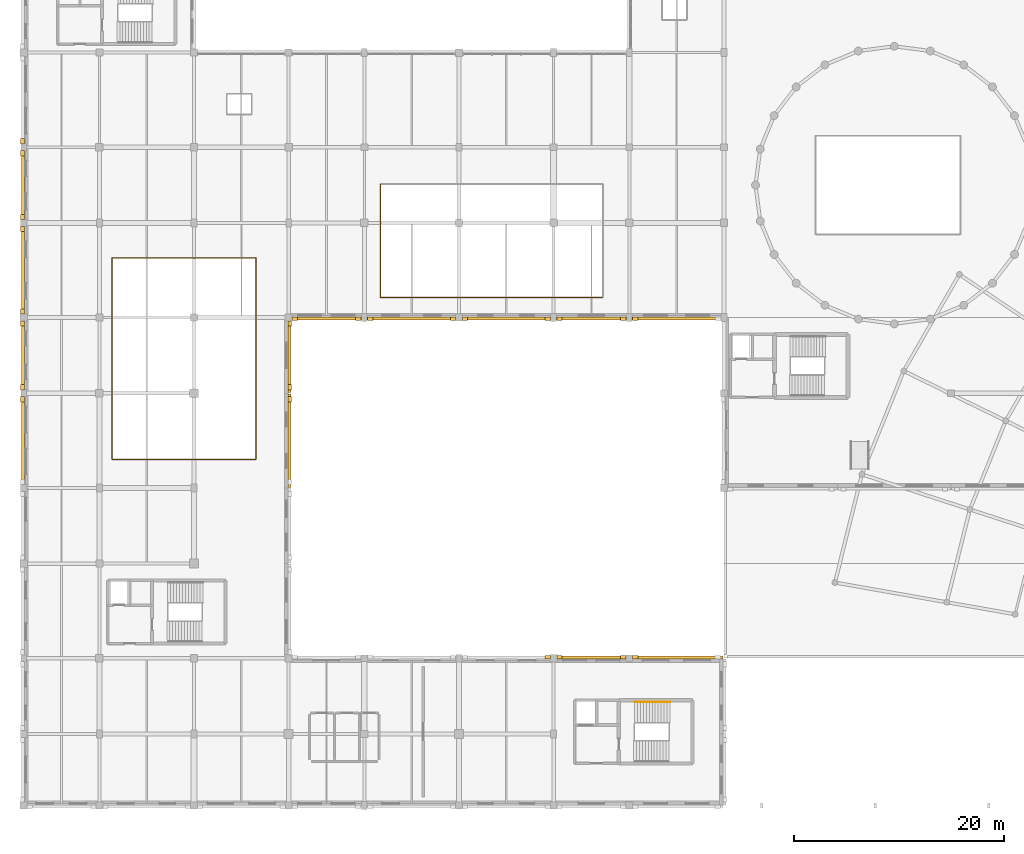
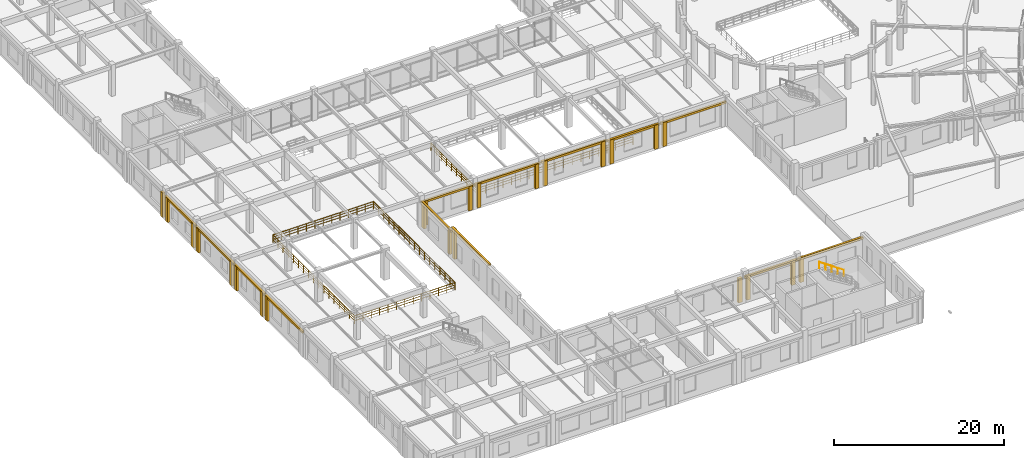
# One storey, part 53 of 62: 37 coverings, 7 railings.
"""IFC4 building model written with IfcOpenShell, lengths in metres."""

from ifc_helpers import new_model, si_unit, direction, frame, frame_2d, origin, origin_2d, place, context, subcontext, project, spatial, rectangle, circle, extrude, material, layer, layer_set, type_object, element, save


model = new_model("IFC4")

# Units and contexts
model_context = context("Model", 3, precision=1e-05, world=origin(), true_north=direction((0.0, 1.0)))
body_context = subcontext(model_context, "Body", "Model", "MODEL_VIEW")
ifc_project = project(units=[si_unit("LENGTHUNIT", "METRE"), si_unit("AREAUNIT", "SQUARE_METRE"), si_unit("VOLUMEUNIT", "CUBIC_METRE"), si_unit("PLANEANGLEUNIT", "RADIAN"), si_unit("MASSUNIT", "GRAM", prefix="KILO")], contexts=[model_context])

# Site, building, storey
site_placement = place(None, origin())
site = spatial("IfcSite", under=ifc_project, at=site_placement, CompositionType="ELEMENT")
building_placement = place(site_placement, origin())
building = spatial("IfcBuilding", under=site, at=building_placement, Name="Clarverna Civic Hall", CompositionType="ELEMENT")
storey_placement = place(building_placement, frame((0.0, 0.0, 5.10009765625)))
storey = spatial("IfcBuildingStorey", under=building, at=storey_placement, Name="L01", CompositionType="ELEMENT", Elevation=5.10009765625)

# Coverings
ifc_material_1 = material(Name="Montjuic Buff Limestone Ashlar Cladding", Category="masonry")
ifc_layer = layer(ifc_material_1, 0.070068359375)
ifc_layer_set = layer_set([ifc_layer], Name="Montjuic Buff Limestone Ashlar Cladding")
covering_type = type_object("IfcCoveringType", Name="CV-CL2", PredefinedType="CLADDING", material=ifc_layer_set)
covering_1_placement = place(storey_placement, frame((-0.080078125, 30.260009765625, 3.18994140625), z_axis=(0.0, 0.0, 1.0), x_axis=(0.0, 1.0, 0.0)))
element("IfcCovering", 1, at=covering_1_placement, inside=storey, type_object=covering_type, Name="CV-CL2-168", PredefinedType="CLADDING", context=body_context, shape_type="SweptSolid", body=[
    extrude(rectangle(XDim=8.8798828125, YDim=0.280029296875, at=frame_2d((4.43994140625, 0.0))), origin(), (0.0, 0.0, 1.0), 0.300048828125),
])
covering_2_placement = place(storey_placement, frame((-0.110107421875, 38.3798828125, 0.0), z_axis=(0.0, 0.0, 1.0), x_axis=(0.0, 1.0, 0.0)))
element("IfcCovering", 2, at=covering_2_placement, inside=storey, type_object=covering_type, Name="CV-CL2-170", PredefinedType="CLADDING", context=body_context, shape_type="SweptSolid", body=[
    extrude(rectangle(XDim=0.5, YDim=0.340087890625, at=frame_2d((0.25, 0.0))), origin(), (0.0, 0.0, 1.0), 3.469970703125),
])
covering_3_placement = place(storey_placement, frame((-0.080078125, 39.260009765625, 3.18994140625), z_axis=(0.0, 0.0, 1.0), x_axis=(0.0, 1.0, 0.0)))
element("IfcCovering", 3, at=covering_3_placement, inside=storey, type_object=covering_type, Name="CV-CL2-171", PredefinedType="CLADDING", context=body_context, shape_type="SweptSolid", body=[
    extrude(rectangle(XDim=7.080078125, YDim=0.280029296875, at=frame_2d((3.5400390625, 0.0))), origin(), (0.0, 0.0, 1.0), 0.300048828125),
])
for number, where, z_axis, x_axis, name in (
    (4, (-0.110107421875, 39.52001953125, 0.0), (0.0, 0.0, 1.0), (0.0, 1.0, 0.0), "CV-CL2-172"),
    (5, (-0.110107421875, 45.580078125, 0.0), (0.0, 0.0, 1.0), (0.0, 1.0, 0.0), "CV-CL2-173"),
):
    element("IfcCovering", number, at=place(storey_placement, frame(where, z_axis=z_axis, x_axis=x_axis)), inside=storey, type_object=covering_type, Name=name, PredefinedType="CLADDING", context=body_context, shape_type="SweptSolid", body=[
        extrude(rectangle(XDim=0.5, YDim=0.340087890625, at=frame_2d((0.25, 0.0))), origin(), (0.0, 0.0, 1.0), 3.469970703125),
    ])
covering_4_placement = place(storey_placement, frame((-0.080078125, 46.4599609375, 3.139892578125), z_axis=(0.0, 0.0, 1.0), x_axis=(0.0, 1.0, 0.0)))
element("IfcCovering", 6, at=covering_4_placement, inside=storey, type_object=covering_type, Name="CV-CL2-174", PredefinedType="CLADDING", context=body_context, shape_type="SweptSolid", body=[
    extrude(rectangle(XDim=8.880126953125, YDim=0.280029296875, at=frame_2d((4.43994140625, 0.0))), origin(), (0.0, 0.0, 1.0), 0.300048828125),
])
for number, where, z_axis, x_axis, name in (
    (7, (-0.110107421875, 46.719970703125, 0.0), (0.0, 0.0, 1.0), (0.0, 1.0, 0.0), "CV-CL2-175"),
    (8, (-0.110107421875, 54.580078125, 0.0), (0.0, 0.0, 1.0), (0.0, 1.0, 0.0), "CV-CL2-176"),
):
    element("IfcCovering", number, at=place(storey_placement, frame(where, z_axis=z_axis, x_axis=x_axis)), inside=storey, type_object=covering_type, Name=name, PredefinedType="CLADDING", context=body_context, shape_type="SweptSolid", body=[
        extrude(rectangle(XDim=0.5, YDim=0.340087890625, at=frame_2d((0.25, 0.0))), origin(), (0.0, 0.0, 1.0), 3.419921875),
    ])
covering_5_placement = place(storey_placement, frame((-0.080078125, 55.4599609375, 3.139892578125), z_axis=(0.0, 0.0, 1.0), x_axis=(0.0, 1.0, 0.0)))
element("IfcCovering", 9, at=covering_5_placement, inside=storey, type_object=covering_type, Name="CV-CL2-177", PredefinedType="CLADDING", context=body_context, shape_type="SweptSolid", body=[
    extrude(rectangle(XDim=7.080078125, YDim=0.280029296875, at=frame_2d((3.5400390625, 0.0))), origin(), (0.0, 0.0, 1.0), 0.300048828125),
])
for number, where, z_axis, x_axis, name in (
    (10, (-0.110107421875, 55.719970703125, 0.0), (0.0, 0.0, 1.0), (0.0, 1.0, 0.0), "CV-CL2-178"),
    (11, (-0.110107421875, 61.780029296875, 0.0), (0.0, 0.0, 1.0), (0.0, 1.0, 0.0), "CV-CL2-179"),
):
    element("IfcCovering", number, at=place(storey_placement, frame(where, z_axis=z_axis, x_axis=x_axis)), inside=storey, type_object=covering_type, Name=name, PredefinedType="CLADDING", context=body_context, shape_type="SweptSolid", body=[
        extrude(rectangle(XDim=0.5, YDim=0.340087890625, at=frame_2d((0.25, 0.0))), origin(), (0.0, 0.0, 1.0), 3.419921875),
    ])
covering_6_placement = place(storey_placement, frame((-0.110107421875, 62.919921875, 0.0), z_axis=(0.0, 0.0, 1.0), x_axis=(0.0, 1.0, 0.0)))
element("IfcCovering", 12, at=covering_6_placement, inside=storey, type_object=covering_type, Name="CV-CL2-181", PredefinedType="CLADDING", context=body_context, shape_type="SweptSolid", body=[
    extrude(rectangle(XDim=0.5, YDim=0.340087890625, at=frame_2d((0.25, 0.0))), origin(), (0.0, 0.0, 1.0), 3.539794921875),
])
covering_7_placement = place(storey_placement, frame((66.56494140625, 46.320068359375, 3.179931640625), z_axis=(0.0, 0.0, 1.0), x_axis=(-1.0, 0.0, 0.0)))
element("IfcCovering", 13, at=covering_7_placement, inside=storey, type_object=covering_type, Name="CV-CL2-329", PredefinedType="CLADDING", context=body_context, shape_type="SweptSolid", body=[
    extrude(rectangle(XDim=8.905029296875, YDim=0.280029296875, at=frame_2d((4.45263671875, 0.0))), origin(), (0.0, 0.0, 1.0), 0.300048828125),
])
covering_8_placement = place(storey_placement, frame((58.419921875, 46.2900390625, 0.0), z_axis=(0.0, 0.0, 1.0), x_axis=(-1.0, 0.0, 0.0)))
element("IfcCovering", 14, at=covering_8_placement, inside=storey, type_object=covering_type, Name="CV-CL2-331", PredefinedType="CLADDING", context=body_context, shape_type="SweptSolid", body=[
    extrude(rectangle(XDim=0.5, YDim=0.340087890625, at=frame_2d((0.25, 0.0))), origin(), (0.0, 0.0, 1.0), 3.4599609375),
])
covering_9_placement = place(storey_placement, frame((57.5400390625, 46.320068359375, 3.179931640625), z_axis=(0.0, 0.0, 1.0), x_axis=(-1.0, 0.0, 0.0)))
element("IfcCovering", 15, at=covering_9_placement, inside=storey, type_object=covering_type, Name="CV-CL2-332", PredefinedType="CLADDING", context=body_context, shape_type="SweptSolid", body=[
    extrude(rectangle(XDim=7.080078125, YDim=0.280029296875, at=frame_2d((3.5400390625, 0.0))), origin(), (0.0, 0.0, 1.0), 0.300048828125),
])
for number, where, z_axis, x_axis, name in (
    (16, (57.280029296875, 46.2900390625, 0.0), (0.0, 0.0, 1.0), (-1.0, 0.0, 0.0), "CV-CL2-333"),
    (17, (51.219970703125, 46.2900390625, 0.0), (0.0, 0.0, 1.0), (-1.0, 0.0, 0.0), "CV-CL2-334"),
):
    element("IfcCovering", number, at=place(storey_placement, frame(where, z_axis=z_axis, x_axis=x_axis)), inside=storey, type_object=covering_type, Name=name, PredefinedType="CLADDING", context=body_context, shape_type="SweptSolid", body=[
        extrude(rectangle(XDim=0.5, YDim=0.340087890625, at=frame_2d((0.25, 0.0))), origin(), (0.0, 0.0, 1.0), 3.4599609375),
    ])
covering_10_placement = place(storey_placement, frame((50.340087890625, 46.320068359375, 3.2998046875), z_axis=(0.0, 0.0, 1.0), x_axis=(-1.0, 0.0, 0.0)))
element("IfcCovering", 18, at=covering_10_placement, inside=storey, type_object=covering_type, Name="CV-CL2-335", PredefinedType="CLADDING", context=body_context, shape_type="SweptSolid", body=[
    extrude(rectangle(XDim=8.880126953125, YDim=0.280029296875, at=frame_2d((4.43994140625, 0.0))), origin(), (0.0, 0.0, 1.0), 0.300048828125),
])
for number, where, z_axis, x_axis, name in (
    (19, (50.080078125, 46.2900390625, 0.0), (0.0, 0.0, 1.0), (-1.0, 0.0, 0.0), "CV-CL2-336"),
    (20, (42.219970703125, 46.2900390625, 0.0), (0.0, 0.0, 1.0), (-1.0, 0.0, 0.0), "CV-CL2-337"),
):
    element("IfcCovering", number, at=place(storey_placement, frame(where, z_axis=z_axis, x_axis=x_axis)), inside=storey, type_object=covering_type, Name=name, PredefinedType="CLADDING", context=body_context, shape_type="SweptSolid", body=[
        extrude(rectangle(XDim=0.5, YDim=0.340087890625, at=frame_2d((0.25, 0.0))), origin(), (0.0, 0.0, 1.0), 3.579833984375),
    ])
covering_11_placement = place(storey_placement, frame((41.340087890625, 46.320068359375, 3.219970703125), z_axis=(0.0, 0.0, 1.0), x_axis=(-1.0, 0.0, 0.0)))
element("IfcCovering", 21, at=covering_11_placement, inside=storey, type_object=covering_type, Name="CV-CL2-338", PredefinedType="CLADDING", context=body_context, shape_type="SweptSolid", body=[
    extrude(rectangle(XDim=8.880126953125, YDim=0.280029296875, at=frame_2d((4.43994140625, 0.0))), origin(), (0.0, 0.0, 1.0), 0.300048828125),
])
for number, where, z_axis, x_axis, name in (
    (22, (41.080078125, 46.2900390625, 0.0), (0.0, 0.0, 1.0), (-1.0, 0.0, 0.0), "CV-CL2-339"),
    (23, (33.219970703125, 46.2900390625, 0.0), (0.0, 0.0, 1.0), (-1.0, 0.0, 0.0), "CV-CL2-340"),
):
    element("IfcCovering", number, at=place(storey_placement, frame(where, z_axis=z_axis, x_axis=x_axis)), inside=storey, type_object=covering_type, Name=name, PredefinedType="CLADDING", context=body_context, shape_type="SweptSolid", body=[
        extrude(rectangle(XDim=0.5, YDim=0.340087890625, at=frame_2d((0.25, 0.0))), origin(), (0.0, 0.0, 1.0), 3.5),
    ])
covering_12_placement = place(storey_placement, frame((32.340087890625, 46.320068359375, 3.219970703125), z_axis=(0.0, 0.0, 1.0), x_axis=(-1.0, 0.0, 0.0)))
element("IfcCovering", 24, at=covering_12_placement, inside=storey, type_object=covering_type, Name="CV-CL2-341", PredefinedType="CLADDING", context=body_context, shape_type="SweptSolid", body=[
    extrude(rectangle(XDim=7.080078125, YDim=0.280029296875, at=frame_2d((3.5400390625, 0.0))), origin(), (0.0, 0.0, 1.0), 0.300048828125),
])
for number, where, z_axis, x_axis, name in (
    (25, (32.080078125, 46.2900390625, 0.0), (0.0, 0.0, 1.0), (-1.0, 0.0, 0.0), "CV-CL2-342"),
    (26, (26.02001953125, 46.2900390625, 0.0), (0.0, 0.0, 1.0), (-1.0, 0.0, 0.0), "CV-CL2-343"),
):
    element("IfcCovering", number, at=place(storey_placement, frame(where, z_axis=z_axis, x_axis=x_axis)), inside=storey, type_object=covering_type, Name=name, PredefinedType="CLADDING", context=body_context, shape_type="SweptSolid", body=[
        extrude(rectangle(XDim=0.5, YDim=0.340087890625, at=frame_2d((0.25, 0.0))), origin(), (0.0, 0.0, 1.0), 3.5),
    ])
covering_13_placement = place(storey_placement, frame((25.280029296875, 46.340087890625, 3.33984375), z_axis=(0.0, 0.0, 1.0), x_axis=(0.0, -1.0, 0.0)))
element("IfcCovering", 27, at=covering_13_placement, inside=storey, type_object=covering_type, Name="CV-CL2-344", PredefinedType="CLADDING", context=body_context, shape_type="SweptSolid", body=[
    extrude(rectangle(XDim=7.080078125, YDim=0.280029296875, at=frame_2d((3.5400390625, 0.0))), origin(), (0.0, 0.0, 1.0), 0.300048828125),
])
for number, where, z_axis, x_axis, name in (
    (28, (25.31005859375, 46.080078125, 0.0), (0.0, 0.0, 1.0), (0.0, -1.0, 0.0), "CV-CL2-345"),
    (29, (25.31005859375, 40.02001953125, 0.0), (0.0, 0.0, 1.0), (0.0, -1.0, 0.0), "CV-CL2-346"),
):
    element("IfcCovering", number, at=place(storey_placement, frame(where, z_axis=z_axis, x_axis=x_axis)), inside=storey, type_object=covering_type, Name=name, PredefinedType="CLADDING", context=body_context, shape_type="SweptSolid", body=[
        extrude(rectangle(XDim=0.5, YDim=0.340087890625, at=frame_2d((0.25, 0.0))), origin(), (0.0, 0.0, 1.0), 3.619873046875),
    ])
covering_14_placement = place(storey_placement, frame((25.280029296875, 39.139892578125, 3.93994140625), z_axis=(0.0, 0.0, 1.0), x_axis=(0.0, -1.0, 0.0)))
element("IfcCovering", 30, at=covering_14_placement, inside=storey, type_object=covering_type, Name="CV-CL2-347", PredefinedType="CLADDING", context=body_context, shape_type="SweptSolid", body=[
    extrude(rectangle(XDim=8.8798828125, YDim=0.280029296875, at=frame_2d((4.43994140625, 0.0))), origin(), (0.0, 0.0, 1.0), 0.300048828125),
])
covering_15_placement = place(storey_placement, frame((25.31005859375, 38.8798828125, 0.0), z_axis=(0.0, 0.0, 1.0), x_axis=(0.0, -1.0, 0.0)))
element("IfcCovering", 31, at=covering_15_placement, inside=storey, type_object=covering_type, Name="CV-CL2-348", PredefinedType="CLADDING", context=body_context, shape_type="SweptSolid", body=[
    extrude(rectangle(XDim=0.5, YDim=0.340087890625, at=frame_2d((0.25, 0.0))), origin(), (0.0, 0.0, 1.0), 4.219970703125),
])
covering_16_placement = place(storey_placement, frame((49.580078125, 14.110107421875, 0.0), z_axis=(0.0, 0.0, 1.0), x_axis=(1.0, 0.0, 0.0)))
element("IfcCovering", 32, at=covering_16_placement, inside=storey, type_object=covering_type, Name="CV-CL2-364", PredefinedType="CLADDING", context=body_context, shape_type="SweptSolid", body=[
    extrude(rectangle(XDim=0.5, YDim=0.340087890625, at=frame_2d((0.25, 0.0))), origin(), (0.0, 0.0, 1.0), 3.5),
])
covering_17_placement = place(storey_placement, frame((50.4599609375, 14.080078125, 3.219970703125), z_axis=(0.0, 0.0, 1.0), x_axis=(1.0, 0.0, 0.0)))
element("IfcCovering", 33, at=covering_17_placement, inside=storey, type_object=covering_type, Name="CV-CL2-365", PredefinedType="CLADDING", context=body_context, shape_type="SweptSolid", body=[
    extrude(rectangle(XDim=7.080078125, YDim=0.280029296875, at=frame_2d((3.5400390625, 0.0))), origin(), (0.0, 0.0, 1.0), 0.300048828125),
])
for number, where, z_axis, x_axis, name in (
    (34, (50.719970703125, 14.110107421875, 0.0), (0.0, 0.0, 1.0), (1.0, 0.0, 0.0), "CV-CL2-366"),
    (35, (56.780029296875, 14.110107421875, 0.0), (0.0, 0.0, 1.0), (1.0, 0.0, 0.0), "CV-CL2-367"),
):
    element("IfcCovering", number, at=place(storey_placement, frame(where, z_axis=z_axis, x_axis=x_axis)), inside=storey, type_object=covering_type, Name=name, PredefinedType="CLADDING", context=body_context, shape_type="SweptSolid", body=[
        extrude(rectangle(XDim=0.5, YDim=0.340087890625, at=frame_2d((0.25, 0.0))), origin(), (0.0, 0.0, 1.0), 3.5),
    ])
covering_18_placement = place(storey_placement, frame((57.659912109375, 14.080078125, 3.260009765625), z_axis=(0.0, 0.0, 1.0), x_axis=(1.0, 0.0, 0.0)))
element("IfcCovering", 36, at=covering_18_placement, inside=storey, type_object=covering_type, Name="CV-CL2-368", PredefinedType="CLADDING", context=body_context, shape_type="SweptSolid", body=[
    extrude(rectangle(XDim=8.85498046875, YDim=0.280029296875, at=frame_2d((4.427490234375, 0.0))), origin(), (0.0, 0.0, 1.0), 0.2998046875),
])
covering_19_placement = place(storey_placement, frame((57.919921875, 14.110107421875, 0.0), z_axis=(0.0, 0.0, 1.0), x_axis=(1.0, 0.0, 0.0)))
element("IfcCovering", 37, at=covering_19_placement, inside=storey, type_object=covering_type, Name="CV-CL2-369", PredefinedType="CLADDING", context=body_context, shape_type="SweptSolid", body=[
    extrude(rectangle(XDim=0.5, YDim=0.340087890625, at=frame_2d((0.25, 0.0))), origin(), (0.0, 0.0, 1.0), 3.539794921875),
])

# Railings
ifc_material_2 = material(Name="Anodised Bronze Architectural Balustrade")
railing_type_1 = type_object("IfcRailingType", Name="GR-02", PredefinedType="BALUSTRADE", material=ifc_material_2)
railing_1_placement = place(storey_placement, frame((8.419921875, 32.919921875, 0.0)))
element("IfcRailing", 38, at=railing_1_placement, inside=storey, type_object=railing_type_1, Name="GR-02-224", PredefinedType="BALUSTRADE", context=body_context, shape_type="SweptSolid", body=[
    extrude(circle(Radius=0.02392578125, at=origin_2d()), frame((0.0, 0.0, 1.09619140625), z_axis=(0.0, 1.0, 0.0), x_axis=(-1.0, 0.0, 0.0)), (0.0, 0.0, 1.0), 19.16015625),
    extrude(circle(Radius=0.011962890625, at=origin_2d()), frame((0.0, 0.0, 0.39208984375), z_axis=(0.0, 1.0, 0.0), x_axis=(-1.0, 0.0, 0.0)), (0.0, 0.0, 1.0), 19.16015625),
    extrude(circle(Radius=0.011962890625, at=origin_2d()), frame((0.0, 0.0, 0.76171875), z_axis=(0.0, 1.0, 0.0), x_axis=(-1.0, 0.0, 0.0)), (0.0, 0.0, 1.0), 19.16015625),
    extrude(circle(Radius=0.02099609375, at=origin_2d()), origin(), (0.0, 0.0, 1.0), 1.072021484375),
    extrude(circle(Radius=0.02099609375, at=origin_2d()), frame((0.0, 1.197509765625, 0.0)), (0.0, 0.0, 1.0), 1.072021484375),
    extrude(circle(Radius=0.02099609375, at=origin_2d()), frame((0.0, 2.39501953125, 0.0)), (0.0, 0.0, 1.0), 1.072021484375),
    extrude(circle(Radius=0.02099609375, at=origin_2d()), frame((0.0, 3.592529296875, 0.0)), (0.0, 0.0, 1.0), 1.072021484375),
    extrude(circle(Radius=0.02099609375, at=origin_2d()), frame((0.0, 4.7900390625, 0.0)), (0.0, 0.0, 1.0), 1.072021484375),
    extrude(circle(Radius=0.02099609375, at=origin_2d()), frame((0.0, 5.987548828125, 0.0)), (0.0, 0.0, 1.0), 1.072021484375),
    extrude(circle(Radius=0.02099609375, at=origin_2d()), frame((0.0, 7.18505859375, 0.0)), (0.0, 0.0, 1.0), 1.072021484375),
    extrude(circle(Radius=0.02099609375, at=origin_2d()), frame((0.0, 8.382568359375, 0.0)), (0.0, 0.0, 1.0), 1.072021484375),
    extrude(circle(Radius=0.02099609375, at=origin_2d()), frame((0.0, 9.580078125, 0.0)), (0.0, 0.0, 1.0), 1.072021484375),
    extrude(circle(Radius=0.02099609375, at=origin_2d()), frame((0.0, 10.777587890625, 0.0)), (0.0, 0.0, 1.0), 1.072021484375),
    extrude(circle(Radius=0.02099609375, at=origin_2d()), frame((0.0, 11.97509765625, 0.0)), (0.0, 0.0, 1.0), 1.072021484375),
    extrude(circle(Radius=0.02099609375, at=origin_2d()), frame((0.0, 13.172607421875, 0.0)), (0.0, 0.0, 1.0), 1.072021484375),
    extrude(circle(Radius=0.02099609375, at=origin_2d()), frame((0.0, 14.3701171875, 0.0)), (0.0, 0.0, 1.0), 1.072021484375),
    extrude(circle(Radius=0.02099609375, at=origin_2d()), frame((0.0, 15.567626953125, 0.0)), (0.0, 0.0, 1.0), 1.072021484375),
    extrude(circle(Radius=0.02099609375, at=origin_2d()), frame((0.0, 16.76513671875, 0.0)), (0.0, 0.0, 1.0), 1.072021484375),
    extrude(circle(Radius=0.02099609375, at=origin_2d()), frame((0.0, 17.962646484375, 0.0)), (0.0, 0.0, 1.0), 1.072021484375),
    extrude(circle(Radius=0.02099609375, at=origin_2d()), frame((0.0, 19.16015625, 0.0)), (0.0, 0.0, 1.0), 1.072021484375),
])
railing_2_placement = place(storey_placement, frame((8.419921875, 52.080078125, 0.0)))
element("IfcRailing", 39, at=railing_2_placement, inside=storey, type_object=railing_type_1, Name="GR-02-225", PredefinedType="BALUSTRADE", context=body_context, shape_type="SweptSolid", body=[
    extrude(circle(Radius=0.02392578125, at=origin_2d()), frame((0.0, 0.0, 1.09619140625), z_axis=(1.0, 0.0, 0.0), x_axis=(0.0, 1.0, 0.0)), (0.0, 0.0, 1.0), 13.66015625),
    extrude(circle(Radius=0.011962890625, at=origin_2d()), frame((0.0, 0.0, 0.39208984375), z_axis=(1.0, 0.0, 0.0), x_axis=(0.0, 1.0, 0.0)), (0.0, 0.0, 1.0), 13.66015625),
    extrude(circle(Radius=0.011962890625, at=origin_2d()), frame((0.0, 0.0, 0.76171875), z_axis=(1.0, 0.0, 0.0), x_axis=(0.0, 1.0, 0.0)), (0.0, 0.0, 1.0), 13.66015625),
    extrude(circle(Radius=0.02099609375, at=origin_2d()), origin(), (0.0, 0.0, 1.0), 1.072021484375),
    extrude(circle(Radius=0.02099609375, at=origin_2d()), frame((1.138427734375, 0.0, 0.0)), (0.0, 0.0, 1.0), 1.072021484375),
    extrude(circle(Radius=0.02099609375, at=origin_2d()), frame((2.276611328125, 0.0, 0.0)), (0.0, 0.0, 1.0), 1.072021484375),
    extrude(circle(Radius=0.02099609375, at=origin_2d()), frame((3.4150390625, 0.0, 0.0)), (0.0, 0.0, 1.0), 1.072021484375),
    extrude(circle(Radius=0.02099609375, at=origin_2d()), frame((4.553466796875, 0.0, 0.0)), (0.0, 0.0, 1.0), 1.072021484375),
    extrude(circle(Radius=0.02099609375, at=origin_2d()), frame((5.691650390625, 0.0, 0.0)), (0.0, 0.0, 1.0), 1.072021484375),
    extrude(circle(Radius=0.02099609375, at=origin_2d()), frame((6.830078125, 0.0, 0.0)), (0.0, 0.0, 1.0), 1.072021484375),
    extrude(circle(Radius=0.02099609375, at=origin_2d()), frame((7.968505859375, 0.0, 0.0)), (0.0, 0.0, 1.0), 1.072021484375),
    extrude(circle(Radius=0.02099609375, at=origin_2d()), frame((9.106689453125, 0.0, 0.0)), (0.0, 0.0, 1.0), 1.072021484375),
    extrude(circle(Radius=0.02099609375, at=origin_2d()), frame((10.2451171875, 0.0, 0.0)), (0.0, 0.0, 1.0), 1.072021484375),
    extrude(circle(Radius=0.02099609375, at=origin_2d()), frame((11.383544921875, 0.0, 0.0)), (0.0, 0.0, 1.0), 1.072021484375),
    extrude(circle(Radius=0.02099609375, at=origin_2d()), frame((12.521728515625, 0.0, 0.0)), (0.0, 0.0, 1.0), 1.072021484375),
    extrude(circle(Radius=0.02099609375, at=origin_2d()), frame((13.66015625, 0.0, 0.0)), (0.0, 0.0, 1.0), 1.072021484375),
])
railing_3_placement = place(storey_placement, frame((22.080078125, 52.080078125, 0.0)))
element("IfcRailing", 40, at=railing_3_placement, inside=storey, type_object=railing_type_1, Name="GR-02-226", PredefinedType="BALUSTRADE", context=body_context, shape_type="SweptSolid", body=[
    extrude(circle(Radius=0.02392578125, at=origin_2d()), frame((0.0, 0.0, 1.09619140625), z_axis=(0.0, -1.0, 0.0), x_axis=(1.0, 0.0, 0.0)), (0.0, 0.0, 1.0), 19.16015625),
    extrude(circle(Radius=0.011962890625, at=origin_2d()), frame((0.0, 0.0, 0.39208984375), z_axis=(0.0, -1.0, 0.0), x_axis=(1.0, 0.0, 0.0)), (0.0, 0.0, 1.0), 19.16015625),
    extrude(circle(Radius=0.011962890625, at=origin_2d()), frame((0.0, 0.0, 0.76171875), z_axis=(0.0, -1.0, 0.0), x_axis=(1.0, 0.0, 0.0)), (0.0, 0.0, 1.0), 19.16015625),
    extrude(circle(Radius=0.02099609375, at=origin_2d()), origin(), (0.0, 0.0, 1.0), 1.072021484375),
    extrude(circle(Radius=0.02099609375, at=origin_2d()), frame((0.0, -1.197509765625, 0.0)), (0.0, 0.0, 1.0), 1.072021484375),
    extrude(circle(Radius=0.02099609375, at=origin_2d()), frame((0.0, -2.39501953125, 0.0)), (0.0, 0.0, 1.0), 1.072021484375),
    extrude(circle(Radius=0.02099609375, at=origin_2d()), frame((0.0, -3.592529296875, 0.0)), (0.0, 0.0, 1.0), 1.072021484375),
    extrude(circle(Radius=0.02099609375, at=origin_2d()), frame((0.0, -4.7900390625, 0.0)), (0.0, 0.0, 1.0), 1.072021484375),
    extrude(circle(Radius=0.02099609375, at=origin_2d()), frame((0.0, -5.987548828125, 0.0)), (0.0, 0.0, 1.0), 1.072021484375),
    extrude(circle(Radius=0.02099609375, at=origin_2d()), frame((0.0, -7.18505859375, 0.0)), (0.0, 0.0, 1.0), 1.072021484375),
    extrude(circle(Radius=0.02099609375, at=origin_2d()), frame((0.0, -8.382568359375, 0.0)), (0.0, 0.0, 1.0), 1.072021484375),
    extrude(circle(Radius=0.02099609375, at=origin_2d()), frame((0.0, -9.580078125, 0.0)), (0.0, 0.0, 1.0), 1.072021484375),
    extrude(circle(Radius=0.02099609375, at=origin_2d()), frame((0.0, -10.777587890625, 0.0)), (0.0, 0.0, 1.0), 1.072021484375),
    extrude(circle(Radius=0.02099609375, at=origin_2d()), frame((0.0, -11.97509765625, 0.0)), (0.0, 0.0, 1.0), 1.072021484375),
    extrude(circle(Radius=0.02099609375, at=origin_2d()), frame((0.0, -13.172607421875, 0.0)), (0.0, 0.0, 1.0), 1.072021484375),
    extrude(circle(Radius=0.02099609375, at=origin_2d()), frame((0.0, -14.3701171875, 0.0)), (0.0, 0.0, 1.0), 1.072021484375),
    extrude(circle(Radius=0.02099609375, at=origin_2d()), frame((0.0, -15.567626953125, 0.0)), (0.0, 0.0, 1.0), 1.072021484375),
    extrude(circle(Radius=0.02099609375, at=origin_2d()), frame((0.0, -16.76513671875, 0.0)), (0.0, 0.0, 1.0), 1.072021484375),
    extrude(circle(Radius=0.02099609375, at=origin_2d()), frame((0.0, -17.962646484375, 0.0)), (0.0, 0.0, 1.0), 1.072021484375),
    extrude(circle(Radius=0.02099609375, at=origin_2d()), frame((0.0, -19.16015625, 0.0)), (0.0, 0.0, 1.0), 1.072021484375),
])
railing_4_placement = place(storey_placement, frame((22.080078125, 32.919921875, 0.0)))
element("IfcRailing", 41, at=railing_4_placement, inside=storey, type_object=railing_type_1, Name="GR-02-227", PredefinedType="BALUSTRADE", context=body_context, shape_type="SweptSolid", body=[
    extrude(circle(Radius=0.02392578125, at=origin_2d()), frame((0.0, 0.0, 1.09619140625), z_axis=(-1.0, 0.0, 0.0), x_axis=(0.0, -1.0, 0.0)), (0.0, 0.0, 1.0), 13.66015625),
    extrude(circle(Radius=0.011962890625, at=origin_2d()), frame((0.0, 0.0, 0.39208984375), z_axis=(-1.0, 0.0, 0.0), x_axis=(0.0, -1.0, 0.0)), (0.0, 0.0, 1.0), 13.66015625),
    extrude(circle(Radius=0.011962890625, at=origin_2d()), frame((0.0, 0.0, 0.76171875), z_axis=(-1.0, 0.0, 0.0), x_axis=(0.0, -1.0, 0.0)), (0.0, 0.0, 1.0), 13.66015625),
    extrude(circle(Radius=0.02099609375, at=origin_2d()), origin(), (0.0, 0.0, 1.0), 1.072021484375),
    extrude(circle(Radius=0.02099609375, at=origin_2d()), frame((-1.138427734375, 0.0, 0.0)), (0.0, 0.0, 1.0), 1.072021484375),
    extrude(circle(Radius=0.02099609375, at=origin_2d()), frame((-2.276611328125, 0.0, 0.0)), (0.0, 0.0, 1.0), 1.072021484375),
    extrude(circle(Radius=0.02099609375, at=origin_2d()), frame((-3.4150390625, 0.0, 0.0)), (0.0, 0.0, 1.0), 1.072021484375),
    extrude(circle(Radius=0.02099609375, at=origin_2d()), frame((-4.553466796875, 0.0, 0.0)), (0.0, 0.0, 1.0), 1.072021484375),
    extrude(circle(Radius=0.02099609375, at=origin_2d()), frame((-5.691650390625, 0.0, 0.0)), (0.0, 0.0, 1.0), 1.072021484375),
    extrude(circle(Radius=0.02099609375, at=origin_2d()), frame((-6.830078125, 0.0, 0.0)), (0.0, 0.0, 1.0), 1.072021484375),
    extrude(circle(Radius=0.02099609375, at=origin_2d()), frame((-7.968505859375, 0.0, 0.0)), (0.0, 0.0, 1.0), 1.072021484375),
    extrude(circle(Radius=0.02099609375, at=origin_2d()), frame((-9.106689453125, 0.0, 0.0)), (0.0, 0.0, 1.0), 1.072021484375),
    extrude(circle(Radius=0.02099609375, at=origin_2d()), frame((-10.2451171875, 0.0, 0.0)), (0.0, 0.0, 1.0), 1.072021484375),
    extrude(circle(Radius=0.02099609375, at=origin_2d()), frame((-11.383544921875, 0.0, 0.0)), (0.0, 0.0, 1.0), 1.072021484375),
    extrude(circle(Radius=0.02099609375, at=origin_2d()), frame((-12.521728515625, 0.0, 0.0)), (0.0, 0.0, 1.0), 1.072021484375),
    extrude(circle(Radius=0.02099609375, at=origin_2d()), frame((-13.66015625, 0.0, 0.0)), (0.0, 0.0, 1.0), 1.072021484375),
])
railing_5_placement = place(storey_placement, frame((33.919921875, 48.320068359375, 0.0)))
element("IfcRailing", 42, at=railing_5_placement, inside=storey, type_object=railing_type_1, Name="GR-02-228", PredefinedType="BALUSTRADE", context=body_context, shape_type="SweptSolid", body=[
    extrude(circle(Radius=0.02392578125, at=origin_2d()), frame((0.0, 0.0, 1.09619140625), z_axis=(0.0, 1.0, 0.0), x_axis=(-1.0, 0.0, 0.0)), (0.0, 0.0, 1.0), 10.760009765625),
    extrude(circle(Radius=0.011962890625, at=origin_2d()), frame((0.0, 0.0, 0.39208984375), z_axis=(0.0, 1.0, 0.0), x_axis=(-1.0, 0.0, 0.0)), (0.0, 0.0, 1.0), 10.760009765625),
    extrude(circle(Radius=0.011962890625, at=origin_2d()), frame((0.0, 0.0, 0.76171875), z_axis=(0.0, 1.0, 0.0), x_axis=(-1.0, 0.0, 0.0)), (0.0, 0.0, 1.0), 10.760009765625),
    extrude(circle(Radius=0.02099609375, at=origin_2d()), origin(), (0.0, 0.0, 1.0), 1.072021484375),
    extrude(circle(Radius=0.02099609375, at=origin_2d()), frame((0.0, 1.195556640625, 0.0)), (0.0, 0.0, 1.0), 1.072021484375),
    extrude(circle(Radius=0.02099609375, at=origin_2d()), frame((0.0, 2.39111328125, 0.0)), (0.0, 0.0, 1.0), 1.072021484375),
    extrude(circle(Radius=0.02099609375, at=origin_2d()), frame((0.0, 3.586669921875, 0.0)), (0.0, 0.0, 1.0), 1.072021484375),
    extrude(circle(Radius=0.02099609375, at=origin_2d()), frame((0.0, 4.7822265625, 0.0)), (0.0, 0.0, 1.0), 1.072021484375),
    extrude(circle(Radius=0.02099609375, at=origin_2d()), frame((0.0, 5.977783203125, 0.0)), (0.0, 0.0, 1.0), 1.072021484375),
    extrude(circle(Radius=0.02099609375, at=origin_2d()), frame((0.0, 7.17333984375, 0.0)), (0.0, 0.0, 1.0), 1.072021484375),
    extrude(circle(Radius=0.02099609375, at=origin_2d()), frame((0.0, 8.368896484375, 0.0)), (0.0, 0.0, 1.0), 1.072021484375),
    extrude(circle(Radius=0.02099609375, at=origin_2d()), frame((0.0, 9.564453125, 0.0)), (0.0, 0.0, 1.0), 1.072021484375),
    extrude(circle(Radius=0.02099609375, at=origin_2d()), frame((0.0, 10.760009765625, 0.0)), (0.0, 0.0, 1.0), 1.072021484375),
])
railing_6_placement = place(storey_placement, frame((55.080078125, 48.320068359375, 0.0)))
element("IfcRailing", 43, at=railing_6_placement, inside=storey, type_object=railing_type_1, Name="GR-02-231", PredefinedType="BALUSTRADE", context=body_context, shape_type="SweptSolid", body=[
    extrude(circle(Radius=0.02392578125, at=origin_2d()), frame((0.0, 0.0, 1.09619140625), z_axis=(-1.0, 0.0, 0.0), x_axis=(0.0, -1.0, 0.0)), (0.0, 0.0, 1.0), 21.16015625),
    extrude(circle(Radius=0.011962890625, at=origin_2d()), frame((0.0, 0.0, 0.39208984375), z_axis=(-1.0, 0.0, 0.0), x_axis=(0.0, -1.0, 0.0)), (0.0, 0.0, 1.0), 21.16015625),
    extrude(circle(Radius=0.011962890625, at=origin_2d()), frame((0.0, 0.0, 0.76171875), z_axis=(-1.0, 0.0, 0.0), x_axis=(0.0, -1.0, 0.0)), (0.0, 0.0, 1.0), 21.16015625),
    extrude(circle(Radius=0.02099609375, at=origin_2d()), origin(), (0.0, 0.0, 1.0), 1.072021484375),
    extrude(circle(Radius=0.02099609375, at=origin_2d()), frame((-1.175537109375, 0.0, 0.0)), (0.0, 0.0, 1.0), 1.072021484375),
    extrude(circle(Radius=0.02099609375, at=origin_2d()), frame((-2.35107421875, 0.0, 0.0)), (0.0, 0.0, 1.0), 1.072021484375),
    extrude(circle(Radius=0.02099609375, at=origin_2d()), frame((-3.526611328125, 0.0, 0.0)), (0.0, 0.0, 1.0), 1.072021484375),
    extrude(circle(Radius=0.02099609375, at=origin_2d()), frame((-4.7021484375, 0.0, 0.0)), (0.0, 0.0, 1.0), 1.072021484375),
    extrude(circle(Radius=0.02099609375, at=origin_2d()), frame((-5.8779296875, 0.0, 0.0)), (0.0, 0.0, 1.0), 1.072021484375),
    extrude(circle(Radius=0.02099609375, at=origin_2d()), frame((-7.053466796875, 0.0, 0.0)), (0.0, 0.0, 1.0), 1.072021484375),
    extrude(circle(Radius=0.02099609375, at=origin_2d()), frame((-8.22900390625, 0.0, 0.0)), (0.0, 0.0, 1.0), 1.072021484375),
    extrude(circle(Radius=0.02099609375, at=origin_2d()), frame((-9.404541015625, 0.0, 0.0)), (0.0, 0.0, 1.0), 1.072021484375),
    extrude(circle(Radius=0.02099609375, at=origin_2d()), frame((-10.580078125, 0.0, 0.0)), (0.0, 0.0, 1.0), 1.072021484375),
    extrude(circle(Radius=0.02099609375, at=origin_2d()), frame((-11.755615234375, 0.0, 0.0)), (0.0, 0.0, 1.0), 1.072021484375),
    extrude(circle(Radius=0.02099609375, at=origin_2d()), frame((-12.93115234375, 0.0, 0.0)), (0.0, 0.0, 1.0), 1.072021484375),
    extrude(circle(Radius=0.02099609375, at=origin_2d()), frame((-14.106689453125, 0.0, 0.0)), (0.0, 0.0, 1.0), 1.072021484375),
    extrude(circle(Radius=0.02099609375, at=origin_2d()), frame((-15.2822265625, 0.0, 0.0)), (0.0, 0.0, 1.0), 1.072021484375),
    extrude(circle(Radius=0.02099609375, at=origin_2d()), frame((-16.4580078125, 0.0, 0.0)), (0.0, 0.0, 1.0), 1.072021484375),
    extrude(circle(Radius=0.02099609375, at=origin_2d()), frame((-17.633544921875, 0.0, 0.0)), (0.0, 0.0, 1.0), 1.072021484375),
    extrude(circle(Radius=0.02099609375, at=origin_2d()), frame((-18.80908203125, 0.0, 0.0)), (0.0, 0.0, 1.0), 1.072021484375),
    extrude(circle(Radius=0.02099609375, at=origin_2d()), frame((-19.984619140625, 0.0, 0.0)), (0.0, 0.0, 1.0), 1.072021484375),
    extrude(circle(Radius=0.02099609375, at=origin_2d()), frame((-21.16015625, 0.0, 0.0)), (0.0, 0.0, 1.0), 1.072021484375),
])
ifc_material_3 = material(Name="Anodised Bronze Continuous Handrail")
railing_type_2 = type_object("IfcRailingType", Name="HR-01", PredefinedType="HANDRAIL", material=ifc_material_3)
railing_7_placement = place(storey_placement, frame((61.4599609375, 9.820068359375, 2.25)))
element("IfcRailing", 44, at=railing_7_placement, inside=storey, type_object=railing_type_2, Name="HR-01-064", PredefinedType="HANDRAIL", context=body_context, shape_type="SweptSolid", body=[
    extrude(circle(Radius=0.02392578125, at=origin_2d()), frame((0.0, 0.0, 0.89599609375), z_axis=(-0.82702406128, 0.0, 0.562166525207), x_axis=(0.0, -1.0, 0.0)), (0.0, 0.0, 1.0), 4.00244140625),
    extrude(circle(Radius=0.02099609375, at=origin_2d()), origin(), (0.0, 0.0, 1.0), 0.871826171875),
    extrude(circle(Radius=0.02099609375, at=origin_2d()), frame((-0.82763671875, 0.0, 0.5625)), (0.0, 0.0, 1.0), 0.871826171875),
    extrude(circle(Radius=0.02099609375, at=origin_2d()), frame((-1.655029296875, 0.0, 1.125)), (0.0, 0.0, 1.0), 0.871826171875),
    extrude(circle(Radius=0.02099609375, at=origin_2d()), frame((-2.482421875, 0.0, 1.6875)), (0.0, 0.0, 1.0), 0.871826171875),
    extrude(circle(Radius=0.02099609375, at=origin_2d()), frame((-3.31005859375, 0.0, 2.25)), (0.0, 0.0, 1.0), 0.871826171875),
])

save(model, "model.ifc")
